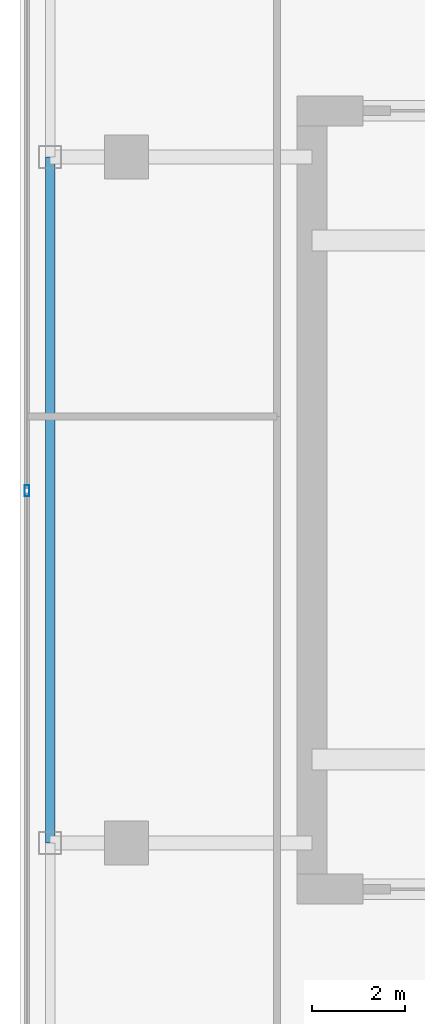
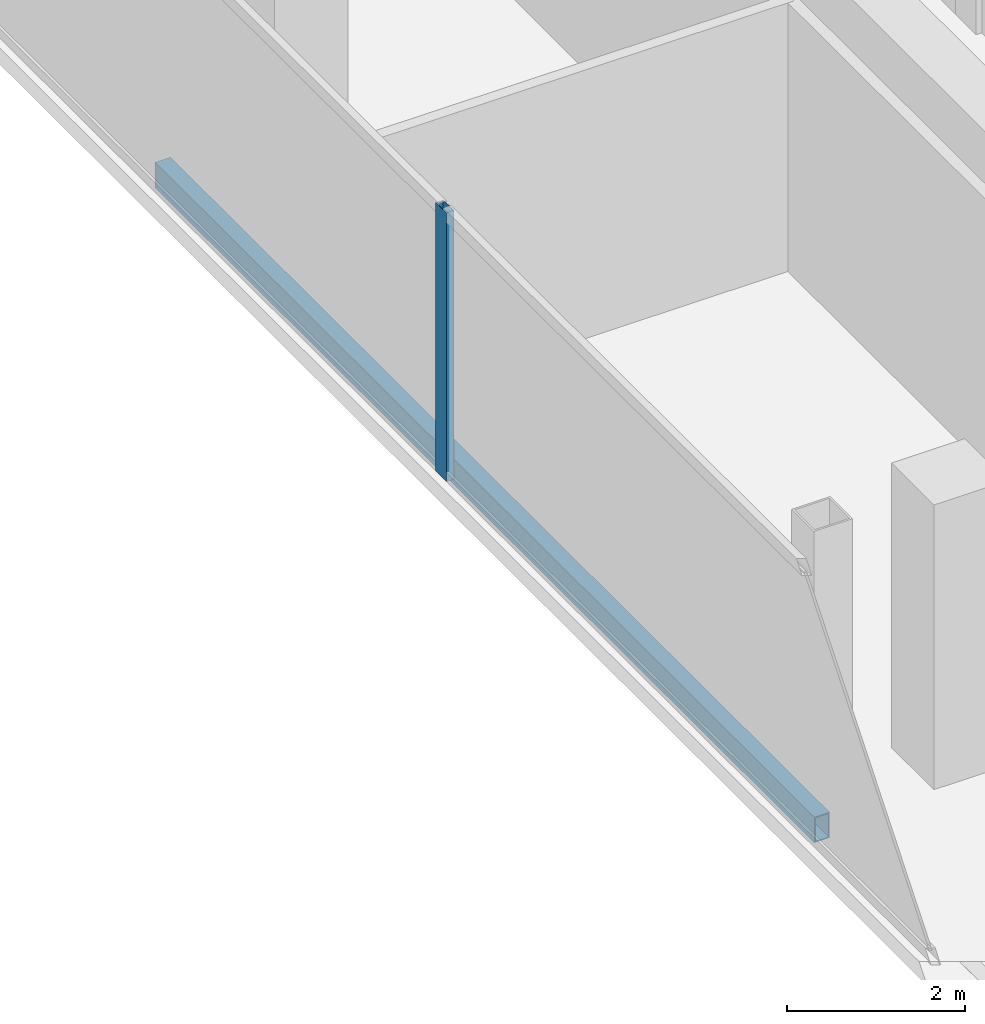
# One storey, part 5 of 23: 1 beam, 1 member, 1 element without a shape of its own.
"""IFC4 building model written with IfcOpenShell, lengths in metres."""

from ifc_helpers import new_model, si_unit, direction, frame, origin, origin_2d, place, context, subcontext, project, spatial, hollow_rectangle, extrude, material, layer, layer_set, material_profile, profile_set, type_object, element, aggregate, save


model = new_model("IFC4")

# Units and contexts
model_context = context("Model", 3, precision=1e-05, world=origin(), true_north=direction((0.0, 1.0)))
body_context = subcontext(model_context, "Body", "Model", "MODEL_VIEW")
ifc_project = project(units=[si_unit("LENGTHUNIT", "METRE"), si_unit("AREAUNIT", "SQUARE_METRE"), si_unit("VOLUMEUNIT", "CUBIC_METRE"), si_unit("PLANEANGLEUNIT", "RADIAN"), si_unit("MASSUNIT", "GRAM", prefix="KILO")], contexts=[model_context])

# Site, building, storey
site_placement = place(None, origin())
site = spatial("IfcSite", under=ifc_project, at=site_placement, CompositionType="ELEMENT")
building_placement = place(site_placement, origin())
building = spatial("IfcBuilding", under=site, at=building_placement, Name="Khorvyn Point Tower", CompositionType="ELEMENT")
storey_placement = place(building_placement, frame((0.0, 0.0, 258.60009765625)))
storey = spatial("IfcBuildingStorey", under=building, at=storey_placement, Name="L63", CompositionType="ELEMENT", Elevation=258.60009765625)

# Curtain wall, member
ifc_material_1 = material(Name="Anodised aluminium 6063-T6 and laminated Low-E glass", Category="aluminium")
ifc_layer = layer(ifc_material_1, 0.18994140625)
ifc_layer_set = layer_set([ifc_layer], Name="Stick-Built High-Wind Curtain Wall CW-SYS-04")
curtain_wall_type = type_object("IfcCurtainWallType", Name="Stick-Built High-Wind Curtain Wall CW-SYS-04", PredefinedType="NOTDEFINED", material=ifc_layer_set)
curtain_wall_placement = place(storey_placement, origin())
curtain_wall = element("IfcCurtainWall", 1, at=curtain_wall_placement, inside=storey, type_object=curtain_wall_type, Name="Curtain Wall", PredefinedType="NOTDEFINED")
ifc_material_2 = material(Name="Anodised aluminium 6063-T6", Category="aluminium")
ifc_material_profile_1 = material_profile(ifc_material_2, hollow_rectangle(XDim=0.10009765625, YDim=0.239990234375, WallThickness=0.0048828125, at=origin_2d()))
ifc_profile_set_1 = profile_set([ifc_material_profile_1], Name="Anodised aluminium 6063-T6 ALU-MUL-100x240")
member_type = type_object("IfcMemberType", Name="Anodised Aluminium 6063-T6 Mullion ALU-MUL-100x240", PredefinedType="MULLION", material=ifc_profile_set_1)
member_placement = place(storey_placement, frame((-16.949951171875, 0.199951171875, 0.0), z_axis=(0.0, 0.0, 1.0), x_axis=(-1.0, 0.0, 0.0)))
member = element("IfcMember", 2, at=member_placement, type_object=member_type, Name="Transom", PredefinedType="MULLION", context=body_context, shape_type="SweptSolid", body=[
    extrude(hollow_rectangle(XDim=0.10009765625, YDim=0.239990234375, WallThickness=0.0048828125, at=origin_2d()), origin(), (0.0, 0.0, 1.0), 3.679931640625),
])
aggregate(curtain_wall, [member])

# Beam
ifc_material_3 = material(Name="Steel S355", Category="steel")
ifc_material_profile_2 = material_profile(ifc_material_3, hollow_rectangle(XDim=0.199951171875, YDim=0.35009765625, WallThickness=0.013916015625, at=origin_2d()))
ifc_profile_set_2 = profile_set([ifc_material_profile_2], Name="Steel S355 RHS350x200x14")
beam_type = type_object("IfcBeamType", Name="Steel S355 Spandrel RHS350x200x14", PredefinedType="SPANDREL", material=ifc_profile_set_2)
beam_placement = place(storey_placement, frame((-16.449951171875, -7.39990234375, -0.39501953125), z_axis=(0.0, 1.0, 0.0), x_axis=(-1.0, 0.0, 0.0)))
element("IfcBeam", 3, at=beam_placement, inside=storey, type_object=beam_type, Name="Beam", PredefinedType="SPANDREL", context=body_context, shape_type="SweptSolid", body=[
    extrude(hollow_rectangle(XDim=0.199951171875, YDim=0.35009765625, WallThickness=0.013916015625, at=origin_2d()), origin(), (0.0, 0.0, 1.0), 14.7998046875),
])

save(model, "model.ifc")
